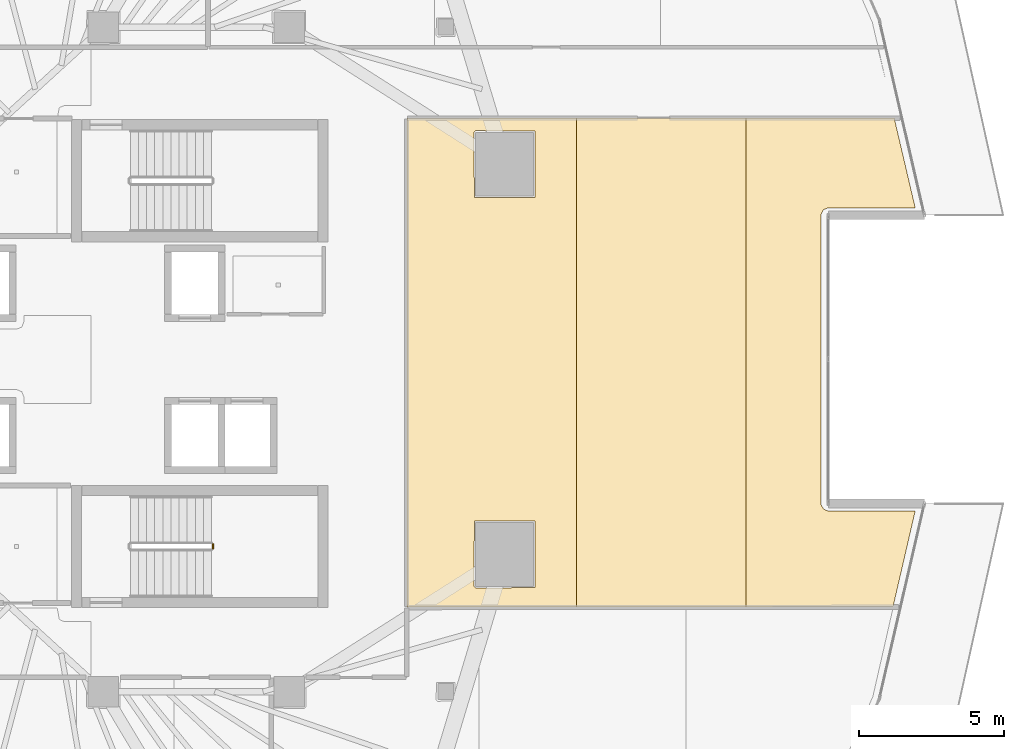
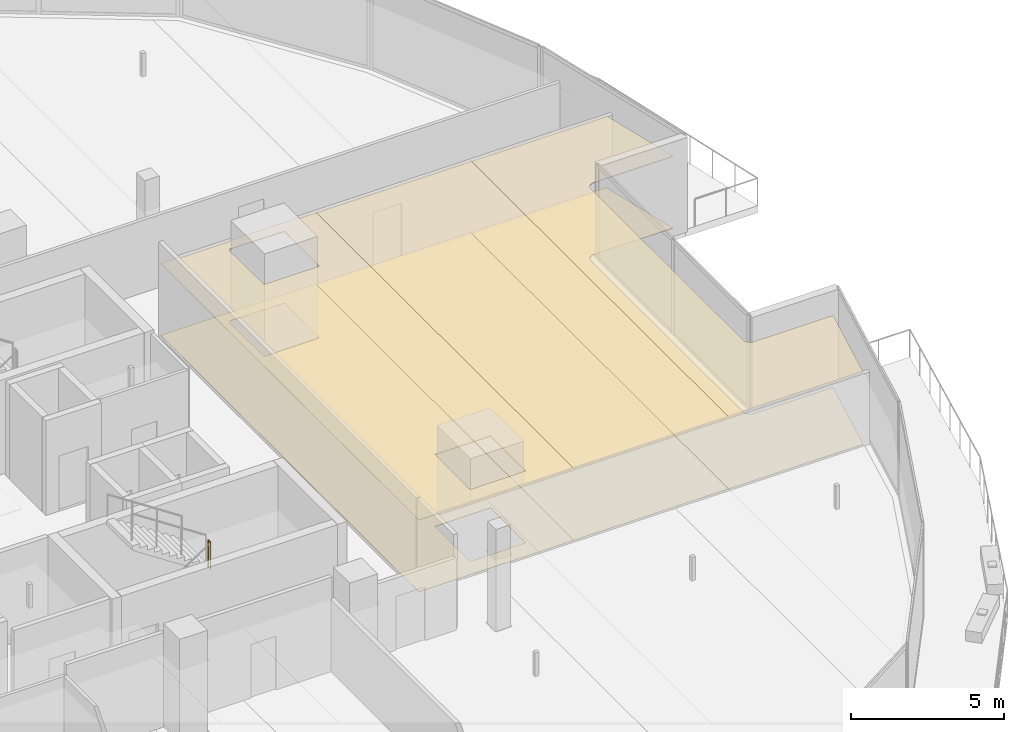
# One storey, part 39 of 42: 6 coverings, 1 railing.
"""IFC4 building model written with IfcOpenShell, lengths in metres."""

from ifc_helpers import new_model, si_unit, direction, frame, origin, origin_2d, place, context, subcontext, project, spatial, polyline, circle, outline, extrude, material, layer, layer_set, type_object, element, save


model = new_model("IFC4")

# Units and contexts
model_context = context("Model", 3, precision=1e-05, world=origin(), true_north=direction((0.0, 1.0)))
body_context = subcontext(model_context, "Body", "Model", "MODEL_VIEW")
ifc_project = project(units=[si_unit("LENGTHUNIT", "METRE"), si_unit("AREAUNIT", "SQUARE_METRE"), si_unit("VOLUMEUNIT", "CUBIC_METRE"), si_unit("PLANEANGLEUNIT", "RADIAN"), si_unit("MASSUNIT", "GRAM", prefix="KILO")], contexts=[model_context])

# Site, building, storey
site_placement = place(None, origin())
site = spatial("IfcSite", under=ifc_project, at=site_placement, CompositionType="ELEMENT")
building_placement = place(site_placement, origin())
building = spatial("IfcBuilding", under=site, at=building_placement, Name="Qorvath Tower", CompositionType="ELEMENT")
storey_placement = place(building_placement, frame((0.0, 0.0, 117.89990234375)))
storey = spatial("IfcBuildingStorey", under=building, at=storey_placement, Name="L26", CompositionType="ELEMENT", Elevation=117.89990234375)

# Coverings
ifc_material_1 = material(Name="Acoustic mineral fibre ceiling tile", Category="gypsum")
ifc_layer_1 = layer(ifc_material_1, 0.030029296875)
ifc_layer_set_1 = layer_set([ifc_layer_1], Name="COV-CEIL")
covering_type_1 = type_object("IfcCoveringType", Name="COV-CEIL", PredefinedType="CEILING", material=ifc_layer_set_1)
covering_1_placement = place(storey_placement, frame((0.0, 0.0, 2.85009765625)))
element("IfcCovering", 1, at=covering_1_placement, inside=storey, type_object=covering_type_1, Name="L26 Suspended Acoustic Ceiling 027", PredefinedType="CEILING", context=body_context, shape_type="SweptSolid", body=[
    extrude(outline(polyline([(-7.298583984375, -8.53173828125), (-7.298583984375, 8.312744140625), (-13.136962890625, 8.306884765625), (-13.136962890625, -8.537109375), (-7.298583984375, -8.53173828125)]), holes=[polyline([(-10.830322265625, 7.8212890625), (-10.770263671875, 7.88134765625), (-8.727783203125, 7.86376953125), (-8.727783203125, 5.578857421875), (-10.812744140625, 5.578857421875), (-10.830322265625, 7.8212890625)]), polyline([(-10.830322265625, -7.8212890625), (-10.812744140625, -5.578857421875), (-8.727783203125, -5.578857421875), (-8.727783203125, -7.86376953125), (-10.770263671875, -7.88134765625), (-10.830322265625, -7.8212890625)])]), origin(), (0.0, 0.0, 1.0), 0.030029296875),
])
covering_2_placement = place(storey_placement, frame((0.0, 0.0, 2.85009765625)))
element("IfcCovering", 2, at=covering_2_placement, inside=storey, type_object=covering_type_1, Name="L26 Suspended Acoustic Ceiling 028", PredefinedType="CEILING", context=body_context, shape_type="SweptSolid", body=[
    extrude(outline(polyline([(-1.460205078125, -8.5263671875), (-1.460205078125, 8.318359375), (-7.298583984375, 8.312744140625), (-7.298583984375, -8.53173828125), (-1.460205078125, -8.5263671875)])), origin(), (0.0, 0.0, 1.0), 0.030029296875),
])
covering_3_placement = place(storey_placement, frame((0.0, 0.0, 2.85009765625)))
element("IfcCovering", 3, at=covering_3_placement, inside=storey, type_object=covering_type_1, Name="L26 Suspended Acoustic Ceiling 029", PredefinedType="CEILING", context=body_context, shape_type="SweptSolid", body=[
    extrude(outline(polyline([(1.2080078125, 5.1494140625), (1.3623046875, 5.2216796875), (4.378173828125, 5.222900390625), (3.6533203125, 8.3232421875), (-1.460205078125, 8.318359375), (-1.460205078125, -8.5263671875), (3.615478515625, -8.521728515625), (4.378173828125, -5.222900390625), (1.3623046875, -5.2216796875), (1.22412109375, -5.163818359375), (1.13671875, -5.016845703125), (1.133056640625, 4.992431640625), (1.2080078125, 5.1494140625)])), origin(), (0.0, 0.0, 1.0), 0.030029296875),
])
ifc_material_2 = material(Name="Low-VOC modular carpet tile", Category="textile")
ifc_layer_2 = layer(ifc_material_2, 0.014892578125)
ifc_layer_set_2 = layer_set([ifc_layer_2], Name="COV-FLOOR-CPT")
covering_type_2 = type_object("IfcCoveringType", Name="COV-FLOOR-CPT", PredefinedType="FLOORING", material=ifc_layer_set_2)
covering_4_placement = place(storey_placement, origin())
element("IfcCovering", 4, at=covering_4_placement, inside=storey, type_object=covering_type_2, Name="L26 Floor Finish 027", PredefinedType="FLOORING", context=body_context, shape_type="SweptSolid", body=[
    extrude(outline(polyline([(-7.298583984375, -8.53173828125), (-7.298583984375, 8.312744140625), (-13.136962890625, 8.306884765625), (-13.136962890625, -8.537109375), (-7.298583984375, -8.53173828125)]), holes=[polyline([(-10.830322265625, 7.8212890625), (-10.770263671875, 7.88134765625), (-8.727783203125, 7.86376953125), (-8.727783203125, 5.578857421875), (-10.812744140625, 5.578857421875), (-10.830322265625, 7.8212890625)]), polyline([(-10.830322265625, -7.8212890625), (-10.812744140625, -5.578857421875), (-8.727783203125, -5.578857421875), (-8.727783203125, -7.86376953125), (-10.770263671875, -7.88134765625), (-10.830322265625, -7.8212890625)])]), origin(), (0.0, 0.0, 1.0), 0.01513671875),
])
covering_5_placement = place(storey_placement, origin())
element("IfcCovering", 5, at=covering_5_placement, inside=storey, type_object=covering_type_2, Name="L26 Floor Finish 028", PredefinedType="FLOORING", context=body_context, shape_type="SweptSolid", body=[
    extrude(outline(polyline([(-1.460205078125, -8.5263671875), (-1.460205078125, 8.318359375), (-7.298583984375, 8.312744140625), (-7.298583984375, -8.53173828125), (-1.460205078125, -8.5263671875)])), origin(), (0.0, 0.0, 1.0), 0.01513671875),
])
covering_6_placement = place(storey_placement, origin())
element("IfcCovering", 6, at=covering_6_placement, inside=storey, type_object=covering_type_2, Name="L26 Floor Finish 029", PredefinedType="FLOORING", context=body_context, shape_type="SweptSolid", body=[
    extrude(outline(polyline([(1.2080078125, 5.1494140625), (1.3623046875, 5.2216796875), (4.378173828125, 5.222900390625), (3.6533203125, 8.3232421875), (-1.460205078125, 8.318359375), (-1.460205078125, -8.5263671875), (3.615478515625, -8.521728515625), (4.378173828125, -5.222900390625), (1.3623046875, -5.2216796875), (1.22412109375, -5.163818359375), (1.13671875, -5.016845703125), (1.133056640625, 4.992431640625), (1.2080078125, 5.1494140625)])), origin(), (0.0, 0.0, 1.0), 0.01513671875),
])

# Railing
ifc_material_3 = material(Name="Painted galvanised steel", Category="steel")
railing_type = type_object("IfcRailingType", Name="RL-STR-GRD", PredefinedType="GUARDRAIL", material=ifc_material_3)
railing_placement = place(storey_placement, frame((-19.820068359375, -6.52001953125, 2.025146484375)))
element("IfcRailing", 7, at=railing_placement, inside=storey, type_object=railing_type, Name="L26 TS2 stair guard 2", PredefinedType="GUARDRAIL", context=body_context, shape_type="SweptSolid", body=[
    extrude(circle(Radius=0.02392578125, at=origin_2d()), frame((0.0, 0.0, 1.076171875), z_axis=(0.0, 1.0, 0.0), x_axis=(-1.0, 0.0, 0.0)), (0.0, 0.0, 1.0), 0.14990234375),
    extrude(circle(Radius=0.02099609375, at=origin_2d()), origin(), (0.0, 0.0, 1.0), 1.052001953125),
    extrude(circle(Radius=0.02099609375, at=origin_2d()), frame((0.0, 0.14990234375, 0.0)), (0.0, 0.0, 1.0), 1.052001953125),
])

save(model, "model.ifc")
